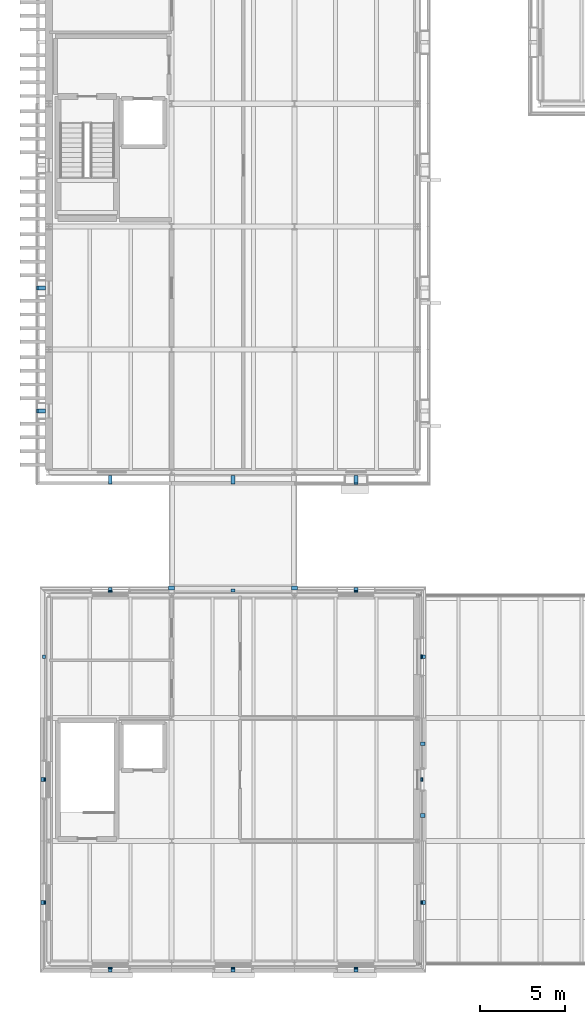
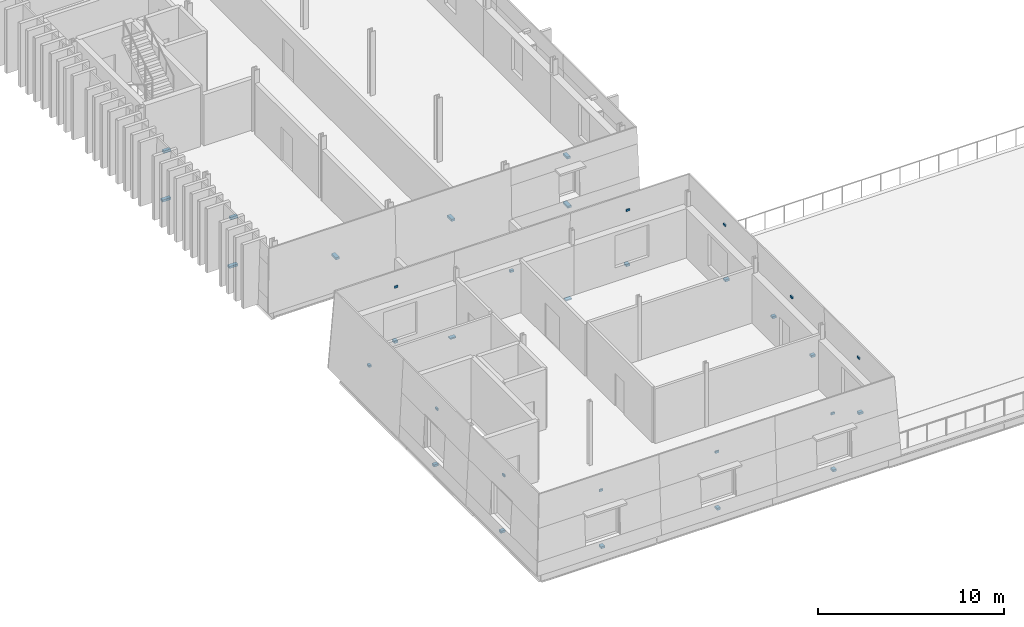
# One storey, part 79 of 115: 33 discrete accessories.
"""IFC4 building model written with IfcOpenShell, lengths in metres."""

from ifc_helpers import new_model, si_unit, direction, frame, origin, origin_2d, place, context, subcontext, project, spatial, rectangle, extrude, material, layer, layer_set, type_object, element, save


model = new_model("IFC4")

# Units and contexts
model_context = context("Model", 3, precision=1e-05, world=origin(), true_north=direction((0.0, 1.0)))
body_context = subcontext(model_context, "Body", "Model", "MODEL_VIEW")
ifc_project = project(units=[si_unit("LENGTHUNIT", "METRE"), si_unit("AREAUNIT", "SQUARE_METRE"), si_unit("VOLUMEUNIT", "CUBIC_METRE"), si_unit("PLANEANGLEUNIT", "RADIAN"), si_unit("MASSUNIT", "GRAM", prefix="KILO")], contexts=[model_context])

# Site, building, storey
site_placement = place(None, origin())
site = spatial("IfcSite", under=ifc_project, at=site_placement, CompositionType="ELEMENT")
building_placement = place(site_placement, origin())
building = spatial("IfcBuilding", under=site, at=building_placement, Name="Narikvali Park Central Library", CompositionType="ELEMENT")
storey_placement = place(building_placement, frame((0.0, 0.0, 10.199951171875)))
storey = spatial("IfcBuildingStorey", under=building, at=storey_placement, Name="L02", CompositionType="ELEMENT", Elevation=10.199951171875)

# Discrete accessories
ifc_material = material(Name="Brushed Stainless Steel S355", Category="steel")
ifc_layer_1 = layer(ifc_material, 0.139892578125, Name="Brushed Stainless Steel S355")
ifc_layer_set_1 = layer_set([ifc_layer_1], Name="Brushed Stainless Steel S355")
discrete_accessory_type_1 = type_object("IfcDiscreteAccessoryType", Name="Cladding Stainless Tie-Back Corbel Bracket", PredefinedType="BRACKET", material=ifc_layer_set_1)
discrete_accessory_1_placement = place(storey_placement, frame((3.60009765625, -0.327392578125, 0.3798828125), z_axis=(0.0, 0.0, 1.0), x_axis=(1.0, 0.0, 0.0)))
element("IfcDiscreteAccessory", 1, at=discrete_accessory_1_placement, inside=storey, type_object=discrete_accessory_type_1, Name="Limestone Cladding Tie-Back Bracket V2-CLD-L02-S-B01-SP", PredefinedType="BRACKET", context=body_context, shape_type="SweptSolid", body=[
    extrude(rectangle(XDim=0.219970703125, YDim=0.27490234375, at=origin_2d()), origin(), (0.0, 0.0, 1.0), 0.139892578125),
])
discrete_accessory_2_placement = place(storey_placement, frame((3.60009765625, -0.23291015625, 4.0048828125), z_axis=(0.0, 0.0, 1.0), x_axis=(1.0, 0.0, 0.0)))
element("IfcDiscreteAccessory", 2, at=discrete_accessory_2_placement, inside=storey, type_object=discrete_accessory_type_1, Name="Limestone Cladding Tie-Back Bracket V2-CLD-L02-S-B01-LN", PredefinedType="BRACKET", context=body_context, shape_type="SweptSolid", body=[
    extrude(rectangle(XDim=0.219970703125, YDim=0.086181640625, at=origin_2d()), origin(), (0.0, 0.0, 1.0), 0.139892578125),
])
discrete_accessory_3_placement = place(storey_placement, frame((10.800048828125, -0.327392578125, 0.3798828125), z_axis=(0.0, 0.0, 1.0), x_axis=(1.0, 0.0, 0.0)))
element("IfcDiscreteAccessory", 3, at=discrete_accessory_3_placement, inside=storey, type_object=discrete_accessory_type_1, Name="Limestone Cladding Tie-Back Bracket V2-CLD-L02-S-B02-SP", PredefinedType="BRACKET", context=body_context, shape_type="SweptSolid", body=[
    extrude(rectangle(XDim=0.219970703125, YDim=0.27490234375, at=origin_2d()), origin(), (0.0, 0.0, 1.0), 0.139892578125),
])
discrete_accessory_4_placement = place(storey_placement, frame((10.800048828125, -0.23291015625, 4.0048828125), z_axis=(0.0, 0.0, 1.0), x_axis=(1.0, 0.0, 0.0)))
element("IfcDiscreteAccessory", 4, at=discrete_accessory_4_placement, inside=storey, type_object=discrete_accessory_type_1, Name="Limestone Cladding Tie-Back Bracket V2-CLD-L02-S-B02-LN", PredefinedType="BRACKET", context=body_context, shape_type="SweptSolid", body=[
    extrude(rectangle(XDim=0.219970703125, YDim=0.086181640625, at=origin_2d()), origin(), (0.0, 0.0, 1.0), 0.139892578125),
])
discrete_accessory_5_placement = place(storey_placement, frame((18.0, -0.327392578125, 0.3798828125), z_axis=(0.0, 0.0, 1.0), x_axis=(1.0, 0.0, 0.0)))
element("IfcDiscreteAccessory", 5, at=discrete_accessory_5_placement, inside=storey, type_object=discrete_accessory_type_1, Name="Limestone Cladding Tie-Back Bracket V2-CLD-L02-S-B03-SP", PredefinedType="BRACKET", context=body_context, shape_type="SweptSolid", body=[
    extrude(rectangle(XDim=0.219970703125, YDim=0.27490234375, at=origin_2d()), origin(), (0.0, 0.0, 1.0), 0.139892578125),
])
discrete_accessory_6_placement = place(storey_placement, frame((18.0, -0.23291015625, 4.0048828125), z_axis=(0.0, 0.0, 1.0), x_axis=(1.0, 0.0, 0.0)))
element("IfcDiscreteAccessory", 6, at=discrete_accessory_6_placement, inside=storey, type_object=discrete_accessory_type_1, Name="Limestone Cladding Tie-Back Bracket V2-CLD-L02-S-B03-LN", PredefinedType="BRACKET", context=body_context, shape_type="SweptSolid", body=[
    extrude(rectangle(XDim=0.219970703125, YDim=0.086181640625, at=origin_2d()), origin(), (0.0, 0.0, 1.0), 0.139892578125),
])
discrete_accessory_7_placement = place(storey_placement, frame((21.927490234375, 3.60009765625, 0.3798828125), z_axis=(0.0, 0.0, 1.0), x_axis=(1.0, 0.0, 0.0)))
element("IfcDiscreteAccessory", 7, at=discrete_accessory_7_placement, inside=storey, type_object=discrete_accessory_type_1, Name="Limestone Cladding Tie-Back Bracket V2-CLD-L02-E-B01-SP", PredefinedType="BRACKET", context=body_context, shape_type="SweptSolid", body=[
    extrude(rectangle(XDim=0.27490234375, YDim=0.219970703125, at=origin_2d()), origin(), (0.0, 0.0, 1.0), 0.139892578125),
])
discrete_accessory_8_placement = place(storey_placement, frame((21.8330078125, 3.60009765625, 4.0048828125), z_axis=(0.0, 0.0, 1.0), x_axis=(1.0, 0.0, 0.0)))
element("IfcDiscreteAccessory", 8, at=discrete_accessory_8_placement, inside=storey, type_object=discrete_accessory_type_1, Name="Limestone Cladding Tie-Back Bracket V2-CLD-L02-E-B01-LN", PredefinedType="BRACKET", context=body_context, shape_type="SweptSolid", body=[
    extrude(rectangle(XDim=0.086181640625, YDim=0.219970703125, at=origin_2d()), origin(), (0.0, 0.0, 1.0), 0.139892578125),
])
for number, where, z_axis, x_axis, name in (
    (9, (21.909912109375, 8.695068359375, 1.05029296875), (0.0, 0.0, 1.0), (1.0, 0.0, 0.0), "Limestone Cladding Tie-Back Bracket V2-CLD-L02-E-B02-DL"),
    (10, (21.909912109375, 12.905029296875, 1.05029296875), (0.0, 0.0, 1.0), (1.0, 0.0, 0.0), "Limestone Cladding Tie-Back Bracket V2-CLD-L02-E-B02-DR"),
):
    element("IfcDiscreteAccessory", number, at=place(storey_placement, frame(where, z_axis=z_axis, x_axis=x_axis)), inside=storey, type_object=discrete_accessory_type_1, Name=name, PredefinedType="BRACKET", context=body_context, shape_type="SweptSolid", body=[
        extrude(rectangle(XDim=0.239990234375, YDim=0.219970703125, at=origin_2d()), origin(), (0.0, 0.0, 1.0), 0.139892578125),
    ])
discrete_accessory_9_placement = place(storey_placement, frame((21.843017578125, 10.800048828125, 3.625), z_axis=(0.0, 0.0, 1.0), x_axis=(1.0, 0.0, 0.0)))
element("IfcDiscreteAccessory", 11, at=discrete_accessory_9_placement, inside=storey, type_object=discrete_accessory_type_1, Name="Limestone Cladding Tie-Back Bracket V2-CLD-L02-E-B02-DH", PredefinedType="BRACKET", context=body_context, shape_type="SweptSolid", body=[
    extrude(rectangle(XDim=0.105712890625, YDim=0.219970703125, at=origin_2d()), origin(), (0.0, 0.0, 1.0), 0.139892578125),
])
discrete_accessory_10_placement = place(storey_placement, frame((21.927490234375, 18.0, 0.3798828125), z_axis=(0.0, 0.0, 1.0), x_axis=(1.0, 0.0, 0.0)))
element("IfcDiscreteAccessory", 12, at=discrete_accessory_10_placement, inside=storey, type_object=discrete_accessory_type_1, Name="Limestone Cladding Tie-Back Bracket V2-CLD-L02-E-B03-SP", PredefinedType="BRACKET", context=body_context, shape_type="SweptSolid", body=[
    extrude(rectangle(XDim=0.27490234375, YDim=0.219970703125, at=origin_2d()), origin(), (0.0, 0.0, 1.0), 0.139892578125),
])
discrete_accessory_11_placement = place(storey_placement, frame((21.8330078125, 18.0, 4.0048828125), z_axis=(0.0, 0.0, 1.0), x_axis=(1.0, 0.0, 0.0)))
element("IfcDiscreteAccessory", 13, at=discrete_accessory_11_placement, inside=storey, type_object=discrete_accessory_type_1, Name="Limestone Cladding Tie-Back Bracket V2-CLD-L02-E-B03-LN", PredefinedType="BRACKET", context=body_context, shape_type="SweptSolid", body=[
    extrude(rectangle(XDim=0.086181640625, YDim=0.219970703125, at=origin_2d()), origin(), (0.0, 0.0, 1.0), 0.139892578125),
])
discrete_accessory_12_placement = place(storey_placement, frame((18.0, 21.927490234375, 0.3798828125), z_axis=(0.0, 0.0, 1.0), x_axis=(1.0, 0.0, 0.0)))
element("IfcDiscreteAccessory", 14, at=discrete_accessory_12_placement, inside=storey, type_object=discrete_accessory_type_1, Name="Limestone Cladding Tie-Back Bracket V2-CLD-L02-N-B01-SP", PredefinedType="BRACKET", context=body_context, shape_type="SweptSolid", body=[
    extrude(rectangle(XDim=0.219970703125, YDim=0.27490234375, at=origin_2d()), origin(), (0.0, 0.0, 1.0), 0.139892578125),
])
discrete_accessory_13_placement = place(storey_placement, frame((18.0, 21.8330078125, 4.0048828125), z_axis=(0.0, 0.0, 1.0), x_axis=(1.0, 0.0, 0.0)))
element("IfcDiscreteAccessory", 15, at=discrete_accessory_13_placement, inside=storey, type_object=discrete_accessory_type_1, Name="Limestone Cladding Tie-Back Bracket V2-CLD-L02-N-B01-LN", PredefinedType="BRACKET", context=body_context, shape_type="SweptSolid", body=[
    extrude(rectangle(XDim=0.219970703125, YDim=0.086181640625, at=origin_2d()), origin(), (0.0, 0.0, 1.0), 0.139892578125),
])
discrete_accessory_14_placement = place(storey_placement, frame((10.800048828125, 21.8720703125, 2.5048828125), z_axis=(0.0, 0.0, 1.0), x_axis=(1.0, 0.0, 0.0)))
element("IfcDiscreteAccessory", 16, at=discrete_accessory_14_placement, inside=storey, type_object=discrete_accessory_type_1, Name="Limestone Cladding Tie-Back Bracket V2-CLD-L02-N-B02-FULL", PredefinedType="BRACKET", context=body_context, shape_type="SweptSolid", body=[
    extrude(rectangle(XDim=0.219970703125, YDim=0.164306640625, at=origin_2d()), origin(), (0.0, 0.0, 1.0), 0.139892578125),
])
discrete_accessory_15_placement = place(storey_placement, frame((3.60009765625, 21.927490234375, 0.3798828125), z_axis=(0.0, 0.0, 1.0), x_axis=(1.0, 0.0, 0.0)))
element("IfcDiscreteAccessory", 17, at=discrete_accessory_15_placement, inside=storey, type_object=discrete_accessory_type_1, Name="Limestone Cladding Tie-Back Bracket V2-CLD-L02-N-B03-SP", PredefinedType="BRACKET", context=body_context, shape_type="SweptSolid", body=[
    extrude(rectangle(XDim=0.219970703125, YDim=0.27490234375, at=origin_2d()), origin(), (0.0, 0.0, 1.0), 0.139892578125),
])
discrete_accessory_16_placement = place(storey_placement, frame((3.60009765625, 21.8330078125, 4.0048828125), z_axis=(0.0, 0.0, 1.0), x_axis=(1.0, 0.0, 0.0)))
element("IfcDiscreteAccessory", 18, at=discrete_accessory_16_placement, inside=storey, type_object=discrete_accessory_type_1, Name="Limestone Cladding Tie-Back Bracket V2-CLD-L02-N-B03-LN", PredefinedType="BRACKET", context=body_context, shape_type="SweptSolid", body=[
    extrude(rectangle(XDim=0.219970703125, YDim=0.086181640625, at=origin_2d()), origin(), (0.0, 0.0, 1.0), 0.139892578125),
])
discrete_accessory_17_placement = place(storey_placement, frame((-0.272216796875, 18.0, 2.5048828125), z_axis=(0.0, 0.0, 1.0), x_axis=(1.0, 0.0, 0.0)))
element("IfcDiscreteAccessory", 19, at=discrete_accessory_17_placement, inside=storey, type_object=discrete_accessory_type_1, Name="Limestone Cladding Tie-Back Bracket V2-CLD-L02-W-B01-FULL", PredefinedType="BRACKET", context=body_context, shape_type="SweptSolid", body=[
    extrude(rectangle(XDim=0.164306640625, YDim=0.219970703125, at=origin_2d()), origin(), (0.0, 0.0, 1.0), 0.139892578125),
])
discrete_accessory_18_placement = place(storey_placement, frame((-0.327392578125, 10.800048828125, 0.3798828125), z_axis=(0.0, 0.0, 1.0), x_axis=(1.0, 0.0, 0.0)))
element("IfcDiscreteAccessory", 20, at=discrete_accessory_18_placement, inside=storey, type_object=discrete_accessory_type_1, Name="Limestone Cladding Tie-Back Bracket V2-CLD-L02-W-B02-SP", PredefinedType="BRACKET", context=body_context, shape_type="SweptSolid", body=[
    extrude(rectangle(XDim=0.27490234375, YDim=0.219970703125, at=origin_2d()), origin(), (0.0, 0.0, 1.0), 0.139892578125),
])
discrete_accessory_19_placement = place(storey_placement, frame((-0.23291015625, 10.800048828125, 4.0048828125), z_axis=(0.0, 0.0, 1.0), x_axis=(1.0, 0.0, 0.0)))
element("IfcDiscreteAccessory", 21, at=discrete_accessory_19_placement, inside=storey, type_object=discrete_accessory_type_1, Name="Limestone Cladding Tie-Back Bracket V2-CLD-L02-W-B02-LN", PredefinedType="BRACKET", context=body_context, shape_type="SweptSolid", body=[
    extrude(rectangle(XDim=0.086181640625, YDim=0.219970703125, at=origin_2d()), origin(), (0.0, 0.0, 1.0), 0.139892578125),
])
discrete_accessory_20_placement = place(storey_placement, frame((-0.327392578125, 3.60009765625, 0.3798828125), z_axis=(0.0, 0.0, 1.0), x_axis=(1.0, 0.0, 0.0)))
element("IfcDiscreteAccessory", 22, at=discrete_accessory_20_placement, inside=storey, type_object=discrete_accessory_type_1, Name="Limestone Cladding Tie-Back Bracket V2-CLD-L02-W-B03-SP", PredefinedType="BRACKET", context=body_context, shape_type="SweptSolid", body=[
    extrude(rectangle(XDim=0.27490234375, YDim=0.219970703125, at=origin_2d()), origin(), (0.0, 0.0, 1.0), 0.139892578125),
])
discrete_accessory_21_placement = place(storey_placement, frame((-0.23291015625, 3.60009765625, 4.0048828125), z_axis=(0.0, 0.0, 1.0), x_axis=(1.0, 0.0, 0.0)))
element("IfcDiscreteAccessory", 23, at=discrete_accessory_21_placement, inside=storey, type_object=discrete_accessory_type_1, Name="Limestone Cladding Tie-Back Bracket V2-CLD-L02-W-B03-LN", PredefinedType="BRACKET", context=body_context, shape_type="SweptSolid", body=[
    extrude(rectangle(XDim=0.086181640625, YDim=0.219970703125, at=origin_2d()), origin(), (0.0, 0.0, 1.0), 0.139892578125),
])
for number, where, z_axis, x_axis, name in (
    (24, (3.60009765625, 28.369384765625, 2.0302734375), (0.0, 0.0, 1.0), (1.0, 0.0, 0.0), "Limestone Cladding Tie-Back Bracket V5-CLD-L02-S-B01-FULL"),
    (25, (10.800048828125, 28.369384765625, 2.0302734375), (0.0, 0.0, 1.0), (1.0, 0.0, 0.0), "Limestone Cladding Tie-Back Bracket V5-CLD-L02-S-B02-FULL"),
):
    element("IfcDiscreteAccessory", number, at=place(storey_placement, frame(where, z_axis=z_axis, x_axis=x_axis)), inside=storey, type_object=discrete_accessory_type_1, Name=name, PredefinedType="BRACKET", context=body_context, shape_type="SweptSolid", body=[
        extrude(rectangle(XDim=0.219970703125, YDim=0.48095703125, at=origin_2d()), origin(), (0.0, 0.0, 1.0), 0.139892578125),
    ])
discrete_accessory_22_placement = place(storey_placement, frame((18.0, 28.346435546875, 0.4052734375), z_axis=(0.0, 0.0, 1.0), x_axis=(1.0, 0.0, 0.0)))
element("IfcDiscreteAccessory", 26, at=discrete_accessory_22_placement, inside=storey, type_object=discrete_accessory_type_1, Name="Limestone Cladding Tie-Back Bracket V5-CLD-L02-S-B03-SP", PredefinedType="BRACKET", context=body_context, shape_type="SweptSolid", body=[
    extrude(rectangle(XDim=0.219970703125, YDim=0.527099609375, at=origin_2d()), origin(), (0.0, 0.0, 1.0), 0.139892578125),
])
discrete_accessory_23_placement = place(storey_placement, frame((18.0, 28.391357421875, 3.580078125), z_axis=(0.0, 0.0, 1.0), x_axis=(1.0, 0.0, 0.0)))
element("IfcDiscreteAccessory", 27, at=discrete_accessory_23_placement, inside=storey, type_object=discrete_accessory_type_1, Name="Limestone Cladding Tie-Back Bracket V5-CLD-L02-S-B03-LN", PredefinedType="BRACKET", context=body_context, shape_type="SweptSolid", body=[
    extrude(rectangle(XDim=0.219970703125, YDim=0.43701171875, at=origin_2d()), origin(), (0.0, 0.0, 1.0), 0.139892578125),
])
discrete_accessory_24_placement = place(storey_placement, frame((-0.45361328125, 39.60009765625, 0.4052734375), z_axis=(0.0, 0.0, 1.0), x_axis=(1.0, 0.0, 0.0)))
element("IfcDiscreteAccessory", 28, at=discrete_accessory_24_placement, inside=storey, type_object=discrete_accessory_type_1, Name="Limestone Cladding Tie-Back Bracket V5-CLD-L02-W-B10-SP", PredefinedType="BRACKET", context=body_context, shape_type="SweptSolid", body=[
    extrude(rectangle(XDim=0.527099609375, YDim=0.219970703125, at=origin_2d()), origin(), (0.0, 0.0, 1.0), 0.139892578125),
])
discrete_accessory_25_placement = place(storey_placement, frame((-0.408447265625, 39.60009765625, 3.580078125), z_axis=(0.0, 0.0, 1.0), x_axis=(1.0, 0.0, 0.0)))
element("IfcDiscreteAccessory", 29, at=discrete_accessory_25_placement, inside=storey, type_object=discrete_accessory_type_1, Name="Limestone Cladding Tie-Back Bracket V5-CLD-L02-W-B10-LN", PredefinedType="BRACKET", context=body_context, shape_type="SweptSolid", body=[
    extrude(rectangle(XDim=0.43701171875, YDim=0.219970703125, at=origin_2d()), origin(), (0.0, 0.0, 1.0), 0.139892578125),
])
discrete_accessory_26_placement = place(storey_placement, frame((-0.45361328125, 32.39990234375, 0.4052734375), z_axis=(0.0, 0.0, 1.0), x_axis=(1.0, 0.0, 0.0)))
element("IfcDiscreteAccessory", 30, at=discrete_accessory_26_placement, inside=storey, type_object=discrete_accessory_type_1, Name="Limestone Cladding Tie-Back Bracket V5-CLD-L02-W-B11-SP", PredefinedType="BRACKET", context=body_context, shape_type="SweptSolid", body=[
    extrude(rectangle(XDim=0.527099609375, YDim=0.219970703125, at=origin_2d()), origin(), (0.0, 0.0, 1.0), 0.139892578125),
])
discrete_accessory_27_placement = place(storey_placement, frame((-0.408447265625, 32.39990234375, 3.580078125), z_axis=(0.0, 0.0, 1.0), x_axis=(1.0, 0.0, 0.0)))
element("IfcDiscreteAccessory", 31, at=discrete_accessory_27_placement, inside=storey, type_object=discrete_accessory_type_1, Name="Limestone Cladding Tie-Back Bracket V5-CLD-L02-W-B11-LN", PredefinedType="BRACKET", context=body_context, shape_type="SweptSolid", body=[
    extrude(rectangle(XDim=0.43701171875, YDim=0.219970703125, at=origin_2d()), origin(), (0.0, 0.0, 1.0), 0.139892578125),
])
ifc_layer_2 = layer(ifc_material, 0.080078125, Name="Brushed Stainless Steel S355")
ifc_layer_set_2 = layer_set([ifc_layer_2], Name="Brushed Stainless Steel S355")
discrete_accessory_type_2 = type_object("IfcDiscreteAccessoryType", Name="Unguided PTFE Sliding Bridge Bearing", PredefinedType="BRACKET", material=ifc_layer_set_2)
for number, where, z_axis, x_axis, name in (
    (32, (7.199951171875, 22.030029296875, -0.669921875), (0.0, 0.0, 1.0), (1.0, 0.0, 0.0), "BRG-5 L02 Unguided PTFE Sliding Bearing 1"),
    (33, (14.39990234375, 22.030029296875, -0.669921875), (0.0, 0.0, 1.0), (1.0, 0.0, 0.0), "BRG-5 L02 Unguided PTFE Sliding Bearing 2"),
):
    element("IfcDiscreteAccessory", number, at=place(storey_placement, frame(where, z_axis=z_axis, x_axis=x_axis)), inside=storey, type_object=discrete_accessory_type_2, Name=name, PredefinedType="BRACKET", context=body_context, shape_type="SweptSolid", body=[
        extrude(rectangle(XDim=0.360107421875, YDim=0.239990234375, at=origin_2d()), origin(), (0.0, 0.0, 1.0), 0.080078125),
    ])

save(model, "model.ifc")
